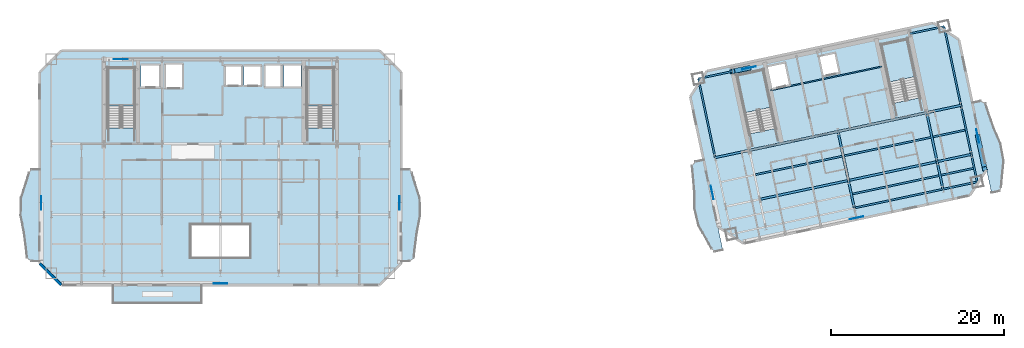
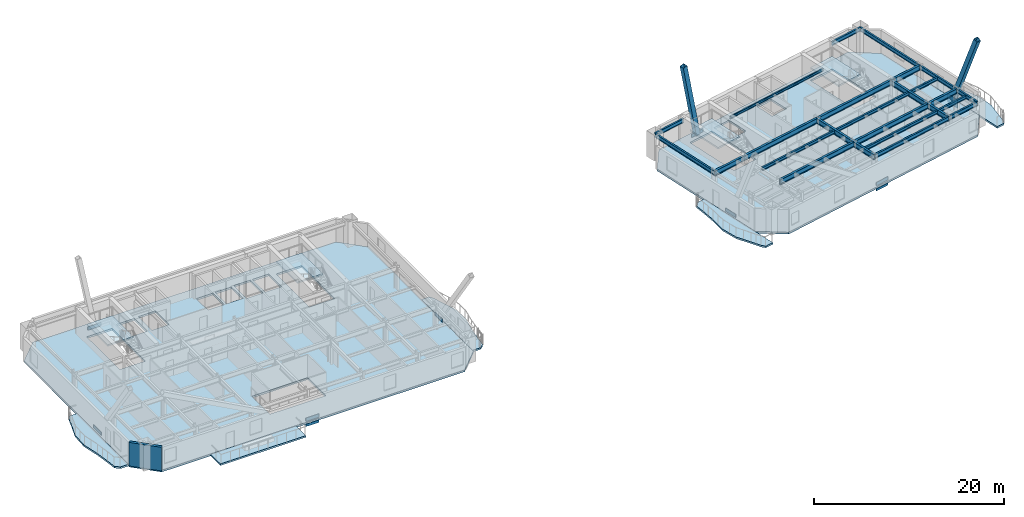
# One storey, part 4 of 13: 25 beams, 11 slabs, 8 plates, 2 members, 1 wall, 4 elements without a shape of their own.
"""IFC4 building model written with IfcOpenShell, lengths in metres."""

from ifc_helpers import new_model, si_unit, direction, frame, frame_2d, origin, origin_2d, place, context, subcontext, project, spatial, polyline, rectangle, hollow_rectangle, i_section, outline, extrude, material, layer, layer_set, material_profile, profile_set, type_object, element, aggregate, save


model = new_model("IFC4")

# Units and contexts
model_context = context("Model", 3, precision=1e-05, world=origin(), true_north=direction((0.0, 1.0)))
body_context = subcontext(model_context, "Body", "Model", "MODEL_VIEW")
ifc_project = project(units=[si_unit("LENGTHUNIT", "METRE"), si_unit("AREAUNIT", "SQUARE_METRE"), si_unit("VOLUMEUNIT", "CUBIC_METRE"), si_unit("PLANEANGLEUNIT", "RADIAN"), si_unit("MASSUNIT", "GRAM", prefix="KILO")], contexts=[model_context])

# Site, building, storey
site_placement = place(None, origin())
site = spatial("IfcSite", under=ifc_project, at=site_placement, CompositionType="ELEMENT")
building_placement = place(site_placement, origin())
building = spatial("IfcBuilding", under=site, at=building_placement, Name="Haevon Station Towers", CompositionType="ELEMENT")
storey_placement = place(building_placement, frame((0.0, 0.0, 165.89990234375)))
storey = spatial("IfcBuildingStorey", under=building, at=storey_placement, Name="L45", CompositionType="ELEMENT", Elevation=165.89990234375)

# Beams
ifc_material_1 = material(Name="Steel S355", Category="steel")
ifc_material_profile_1 = material_profile(ifc_material_1, i_section(OverallWidth=0.25, OverallDepth=0.64990234375, WebThickness=0.012939453125, FlangeThickness=0.02197265625, at=origin_2d()), Name="H-650x250x13x22")
ifc_profile_set_1 = profile_set([ifc_material_profile_1], Name="Steel S355")
beam_type_1 = type_object("IfcBeamType", Name="BM-G650", PredefinedType="BEAM", material=ifc_profile_set_1)
for number, where, z_axis, x_axis, name in (
    (1, (99.958251953125, 31.76904296875, 2.72509765625), (0.978146794194, 0.207915485254, 0.0), (-0.207915485254, 0.978146794194, 0.0), "BM-T2U-L45-02-02"),
    (2, (110.228759765625, 33.9521484375, 2.72509765625), (0.978146794194, 0.207915485254, 0.0), (-0.207915485254, 0.978146794194, 0.0), "BM-T2U-L45-02-03"),
):
    element("IfcBeam", number, at=place(storey_placement, frame(where, z_axis=z_axis, x_axis=x_axis)), inside=storey, type_object=beam_type_1, Name=name, PredefinedType="BEAM", context=body_context, shape_type="SweptSolid", body=[
        extrude(i_section(OverallWidth=0.25, OverallDepth=0.64990234375, WebThickness=0.012939453125, FlangeThickness=0.02197265625, at=origin_2d()), origin(), (0.0, 0.0, 1.0), 10.5),
    ])
for number, where, z_axis, x_axis, name in (
    (3, (120.499267578125, 36.13525390625, 2.72509765625), (0.978149504816, 0.207902732613, 0.0), (-0.207902732613, 0.978149504816, 0.0), "BM-T2U-L45-02-04"),
    (4, (94.790771484375, 36.600341796875, 2.72509765625), (0.978149504816, 0.207902732613, 0.0), (-0.207902732613, 0.978149504816, 0.0), "BM-T2U-L45-03-01"),
):
    element("IfcBeam", number, at=place(storey_placement, frame(where, z_axis=z_axis, x_axis=x_axis)), inside=storey, type_object=beam_type_1, Name=name, PredefinedType="BEAM", context=body_context, shape_type="SweptSolid", body=[
        extrude(i_section(OverallWidth=0.25, OverallDepth=0.64990234375, WebThickness=0.012939453125, FlangeThickness=0.02197265625, at=origin_2d()), origin(), (0.0, 0.0, 1.0), 4.050048828125),
    ])
for number, where, z_axis, x_axis, name in (
    (5, (98.75244140625, 37.4423828125, 2.72509765625), (0.978146794194, 0.207915485254, 0.0), (-0.207915485254, 0.978146794194, 0.0), "BM-T2U-L45-03-02"),
    (6, (109.02294921875, 39.62548828125, 2.72509765625), (0.978146794194, 0.207915485254, 0.0), (-0.207915485254, 0.978146794194, 0.0), "BM-T2U-L45-03-03"),
):
    element("IfcBeam", number, at=place(storey_placement, frame(where, z_axis=z_axis, x_axis=x_axis)), inside=storey, type_object=beam_type_1, Name=name, PredefinedType="BEAM", context=body_context, shape_type="SweptSolid", body=[
        extrude(i_section(OverallWidth=0.25, OverallDepth=0.64990234375, WebThickness=0.012939453125, FlangeThickness=0.02197265625, at=origin_2d()), origin(), (0.0, 0.0, 1.0), 10.5),
    ])
beam_1_placement = place(storey_placement, frame((119.29345703125, 41.80859375, 2.72509765625), z_axis=(0.978146899108, 0.207914991681, 0.0), x_axis=(-0.207914991681, 0.978146899108, 0.0)))
element("IfcBeam", 7, at=beam_1_placement, inside=storey, type_object=beam_type_1, Name="BM-T2U-L45-03-04", PredefinedType="BEAM", context=body_context, shape_type="SweptSolid", body=[
    extrude(i_section(OverallWidth=0.25, OverallDepth=0.64990234375, WebThickness=0.012939453125, FlangeThickness=0.02197265625, at=origin_2d()), origin(), (0.0, 0.0, 1.0), 4.050048828125),
])
beam_2_placement = place(storey_placement, frame((110.906494140625, 30.763427734375, 2.72509765625), z_axis=(-0.207897270364, 0.978150665785, 0.0), x_axis=(-0.978150665785, -0.207897270364, 0.0)))
element("IfcBeam", 8, at=beam_2_placement, inside=storey, type_object=beam_type_1, Name="BM-T2V-L45-03-01", PredefinedType="BEAM", context=body_context, shape_type="SweptSolid", body=[
    extrude(i_section(OverallWidth=0.25, OverallDepth=0.64990234375, WebThickness=0.012939453125, FlangeThickness=0.02197265625, at=origin_2d()), origin(), (0.0, 0.0, 1.0), 3.260009765625),
])
beam_3_placement = place(storey_placement, frame((110.228759765625, 33.9521484375, 2.72509765625), z_axis=(-0.207896009217, 0.97815093383, 0.0), x_axis=(-0.97815093383, -0.207896009217, 0.0)))
element("IfcBeam", 9, at=beam_3_placement, inside=storey, type_object=beam_type_1, Name="BM-T2V-L45-03-02", PredefinedType="BEAM", context=body_context, shape_type="SweptSolid", body=[
    extrude(i_section(OverallWidth=0.25, OverallDepth=0.64990234375, WebThickness=0.012939453125, FlangeThickness=0.02197265625, at=origin_2d()), origin(), (0.0, 0.0, 1.0), 5.800048828125),
])
beam_4_placement = place(storey_placement, frame((121.17724609375, 32.946533203125, 2.72509765625), z_axis=(-0.207968922755, 0.97813543396, 0.0), x_axis=(-0.97813543396, -0.207968922755, 0.0)))
element("IfcBeam", 10, at=beam_4_placement, inside=storey, type_object=beam_type_1, Name="BM-T2V-L45-04-01", PredefinedType="BEAM", context=body_context, shape_type="SweptSolid", body=[
    extrude(i_section(OverallWidth=0.25, OverallDepth=0.64990234375, WebThickness=0.012939453125, FlangeThickness=0.02197265625, at=origin_2d()), origin(), (0.0, 0.0, 1.0), 3.260009765625),
])
beam_5_placement = place(storey_placement, frame((120.499267578125, 36.13525390625, 2.72509765625), z_axis=(-0.207896009217, 0.97815093383, 0.0), x_axis=(-0.97815093383, -0.207896009217, 0.0)))
element("IfcBeam", 11, at=beam_5_placement, inside=storey, type_object=beam_type_1, Name="BM-T2V-L45-04-02", PredefinedType="BEAM", context=body_context, shape_type="SweptSolid", body=[
    extrude(i_section(OverallWidth=0.25, OverallDepth=0.64990234375, WebThickness=0.012939453125, FlangeThickness=0.02197265625, at=origin_2d()), origin(), (0.0, 0.0, 1.0), 5.800048828125),
])
ifc_material_profile_2 = material_profile(ifc_material_1, i_section(OverallWidth=0.199951171875, OverallDepth=0.39990234375, WebThickness=0.008056640625, FlangeThickness=0.012939453125, at=origin_2d()), Name="H-400x200x8x13")
ifc_profile_set_2 = profile_set([ifc_material_profile_2], Name="Steel S355")
beam_type_2 = type_object("IfcBeamType", Name="BM-J400", PredefinedType="JOIST", material=ifc_profile_set_2)
beam_6_placement = place(storey_placement, frame((110.67529296875, 32.380615234375, 2.85009765625), z_axis=(0.978145509903, 0.207921527161, 0.0), x_axis=(-0.207921527161, 0.978145509903, 0.0)))
element("IfcBeam", 12, at=beam_6_placement, inside=storey, type_object=beam_type_2, Name="BM-T2J-L45-01-03", PredefinedType="JOIST", context=body_context, shape_type="SweptSolid", body=[
    extrude(i_section(OverallWidth=0.199951171875, OverallDepth=0.39990234375, WebThickness=0.008056640625, FlangeThickness=0.012939453125, at=origin_2d()), origin(), (0.0, 0.0, 1.0), 10.280029296875),
])
beam_7_placement = place(storey_placement, frame((120.94580078125, 34.563720703125, 2.85009765625), z_axis=(0.97814345794, 0.207931180176, 0.0), x_axis=(-0.207931180176, 0.97814345794, 0.0)))
element("IfcBeam", 13, at=beam_7_placement, inside=storey, type_object=beam_type_2, Name="BM-T2J-L45-01-04", PredefinedType="JOIST", context=body_context, shape_type="SweptSolid", body=[
    extrude(i_section(OverallWidth=0.199951171875, OverallDepth=0.39990234375, WebThickness=0.008056640625, FlangeThickness=0.012939453125, at=origin_2d()), origin(), (0.0, 0.0, 1.0), 3.830078125),
])
for number, where, z_axis, x_axis, name in (
    (14, (99.462890625, 34.628662109375, 2.85009765625), (0.978150339653, 0.207898804801, 0.0), (-0.207898804801, 0.978150339653, 0.0), "BM-T2J-L45-02-02"),
    (15, (109.7333984375, 36.811767578125, 2.85009765625), (0.978150339653, 0.207898804801, 0.0), (-0.207898804801, 0.978150339653, 0.0), "BM-T2J-L45-02-03"),
):
    element("IfcBeam", number, at=place(storey_placement, frame(where, z_axis=z_axis, x_axis=x_axis)), inside=storey, type_object=beam_type_2, Name=name, PredefinedType="JOIST", context=body_context, shape_type="SweptSolid", body=[
        extrude(i_section(OverallWidth=0.199951171875, OverallDepth=0.39990234375, WebThickness=0.008056640625, FlangeThickness=0.012939453125, at=origin_2d()), origin(), (0.0, 0.0, 1.0), 10.280029296875),
    ])
beam_8_placement = place(storey_placement, frame((120.00390625, 38.994873046875, 2.85009765625), z_axis=(0.978156420772, 0.207870191472, 0.0), x_axis=(-0.207870191472, 0.978156420772, 0.0)))
element("IfcBeam", 16, at=beam_8_placement, inside=storey, type_object=beam_type_2, Name="BM-T2J-L45-02-04", PredefinedType="JOIST", context=body_context, shape_type="SweptSolid", body=[
    extrude(i_section(OverallWidth=0.199951171875, OverallDepth=0.39990234375, WebThickness=0.008056640625, FlangeThickness=0.012939453125, at=origin_2d()), origin(), (0.0, 0.0, 1.0), 3.830078125),
])
ifc_material_profile_3 = material_profile(ifc_material_1, i_section(OverallWidth=0.14990234375, OverallDepth=0.300048828125, WebThickness=0.006591796875, FlangeThickness=0.009033203125, at=origin_2d()), Name="H-300x150x6.5x9")
ifc_profile_set_3 = profile_set([ifc_material_profile_3], Name="Steel S355")
beam_type_3 = type_object("IfcBeamType", Name="BM-LIN300", PredefinedType="LINTEL", material=ifc_profile_set_3)
beam_9_placement = place(storey_placement, frame((101.20849609375, 44.4052734375, 2.900146484375), z_axis=(0.978147802964, 0.207910739399, 0.0), x_axis=(-0.207910739399, 0.978147802964, 0.0)))
element("IfcBeam", 17, at=beam_9_placement, inside=storey, type_object=beam_type_3, Name="BM-T2LIN-L45", PredefinedType="LINTEL", context=body_context, shape_type="SweptSolid", body=[
    extrude(i_section(OverallWidth=0.14990234375, OverallDepth=0.300048828125, WebThickness=0.006591796875, FlangeThickness=0.009033203125, at=origin_2d()), origin(), (0.0, 0.0, 1.0), 13.19970703125),
])
ifc_material_profile_4 = material_profile(ifc_material_1, i_section(OverallWidth=0.199951171875, OverallDepth=0.5, WebThickness=0.010009765625, FlangeThickness=0.01611328125, at=origin_2d()), Name="H-500x200x10x16")
ifc_profile_set_4 = profile_set([ifc_material_profile_4], Name="Steel S355")
beam_type_4 = type_object("IfcBeamType", Name="BM-SP500", PredefinedType="SPANDREL", material=ifc_profile_set_4)
beam_10_placement = place(storey_placement, frame((110.906494140625, 30.763427734375, 2.800048828125), z_axis=(0.978147799298, 0.207910756646, 0.0), x_axis=(-0.207910756646, 0.978147799298, 0.0)))
element("IfcBeam", 18, at=beam_10_placement, inside=storey, type_object=beam_type_4, Name="BM-T2U-L45-01-03", PredefinedType="SPANDREL", context=body_context, shape_type="SweptSolid", body=[
    extrude(i_section(OverallWidth=0.199951171875, OverallDepth=0.5, WebThickness=0.010009765625, FlangeThickness=0.01611328125, at=origin_2d()), origin(), (0.0, 0.0, 1.0), 10.500244140625),
])
for number, where, z_axis, x_axis, name in (
    (19, (121.17724609375, 32.946533203125, 2.800048828125), (0.978146899108, 0.207914991681, 0.0), (-0.207914991681, 0.978146899108, 0.0), "BM-T2U-L45-01-04"),
    (20, (92.846923828125, 45.74609375, 2.800048828125), (0.978146899108, 0.207914991681, 0.0), (-0.207914991681, 0.978146899108, 0.0), "BM-T2U-L45-04-01"),
    (21, (117.349365234375, 50.954345703125, 2.800048828125), (0.978149504816, 0.207902732613, 0.0), (-0.207902732613, 0.978149504816, 0.0), "BM-T2U-L45-04-04"),
):
    element("IfcBeam", number, at=place(storey_placement, frame(where, z_axis=z_axis, x_axis=x_axis)), inside=storey, type_object=beam_type_4, Name=name, PredefinedType="SPANDREL", context=body_context, shape_type="SweptSolid", body=[
        extrude(i_section(OverallWidth=0.199951171875, OverallDepth=0.5, WebThickness=0.010009765625, FlangeThickness=0.01611328125, at=origin_2d()), origin(), (0.0, 0.0, 1.0), 4.050048828125),
    ])
beam_11_placement = place(storey_placement, frame((94.790771484375, 36.600341796875, 2.800048828125), z_axis=(-0.207897167074, 0.978150687738, 0.0), x_axis=(-0.978150687738, -0.207897167074, 0.0)))
element("IfcBeam", 22, at=beam_11_placement, inside=storey, type_object=beam_type_4, Name="BM-T2V-L45-01-03", PredefinedType="SPANDREL", context=body_context, shape_type="SweptSolid", body=[
    extrude(i_section(OverallWidth=0.199951171875, OverallDepth=0.5, WebThickness=0.010009765625, FlangeThickness=0.01611328125, at=origin_2d()), origin(), (0.0, 0.0, 1.0), 9.35009765625),
])
beam_12_placement = place(storey_placement, frame((125.138671875, 33.78857421875, 2.800048828125), z_axis=(-0.207897270364, 0.978150665785, 0.0), x_axis=(-0.978150665785, -0.207897270364, 0.0)))
element("IfcBeam", 23, at=beam_12_placement, inside=storey, type_object=beam_type_4, Name="BM-T2V-L45-05-01", PredefinedType="SPANDREL", context=body_context, shape_type="SweptSolid", body=[
    extrude(i_section(OverallWidth=0.199951171875, OverallDepth=0.5, WebThickness=0.010009765625, FlangeThickness=0.01611328125, at=origin_2d()), origin(), (0.0, 0.0, 1.0), 3.260009765625),
])
beam_13_placement = place(storey_placement, frame((124.4609375, 36.977294921875, 2.800048828125), z_axis=(-0.207936282142, 0.978142373363, 0.0), x_axis=(-0.978142373363, -0.207936282142, 0.0)))
element("IfcBeam", 24, at=beam_13_placement, inside=storey, type_object=beam_type_4, Name="BM-T2V-L45-05-02", PredefinedType="SPANDREL", context=body_context, shape_type="SweptSolid", body=[
    extrude(i_section(OverallWidth=0.199951171875, OverallDepth=0.5, WebThickness=0.010009765625, FlangeThickness=0.01611328125, at=origin_2d()), origin(), (0.0, 0.0, 1.0), 5.800048828125),
])
beam_14_placement = place(storey_placement, frame((123.2548828125, 42.650634765625, 2.800048828125), z_axis=(-0.207897167074, 0.978150687738, 0.0), x_axis=(-0.978150687738, -0.207897167074, 0.0)))
element("IfcBeam", 25, at=beam_14_placement, inside=storey, type_object=beam_type_4, Name="BM-T2V-L45-05-03", PredefinedType="SPANDREL", context=body_context, shape_type="SweptSolid", body=[
    extrude(i_section(OverallWidth=0.199951171875, OverallDepth=0.5, WebThickness=0.010009765625, FlangeThickness=0.01611328125, at=origin_2d()), origin(), (0.0, 0.0, 1.0), 9.35009765625),
])

# Members
ifc_material_2 = material(Name="Steel S460", Category="steel")
ifc_material_profile_5 = material_profile(ifc_material_2, hollow_rectangle(XDim=0.550048828125, YDim=0.550048828125, WallThickness=0.028076171875, at=origin_2d()), Name="RHS-550x550x28")
ifc_profile_set_5 = profile_set([ifc_material_profile_5], Name="Steel S460")
member_type = type_object("IfcMemberType", Name="MB-550", PredefinedType="BRACE", material=ifc_profile_set_5)
member_1_placement = place(storey_placement, frame((98.6376953125, 46.976806640625, 0.146728515625), z_axis=(-0.186979306295, -0.039726552198, 0.981560257991), x_axis=(0.207825968465, -0.978165817656, 0.0)))
element("IfcMember", 26, at=member_1_placement, inside=storey, type_object=member_type, Name="BR-T2MB-T06-N-D2B", PredefinedType="BRACE", context=body_context, shape_type="SweptSolid", body=[
    extrude(hollow_rectangle(XDim=0.550048828125, YDim=0.550048828125, WallThickness=0.028076171875, at=origin_2d()), origin(), (0.0, 0.0, 1.0), 9.78369140625),
])
member_2_placement = place(storey_placement, frame((125.227783203125, 38.99609375, 0.13232421875), z_axis=(0.075968667273, -0.357395363142, 0.930858375908), x_axis=(0.978146522194, 0.207916764883, 0.0)))
element("IfcMember", 27, at=member_2_placement, inside=storey, type_object=member_type, Name="BR-T2MB-T06-E-D2B", PredefinedType="BRACE", context=body_context, shape_type="SweptSolid", body=[
    extrude(hollow_rectangle(XDim=0.550048828125, YDim=0.550048828125, WallThickness=0.028076171875, at=origin_2d()), origin(), (0.0, 0.0, 1.0), 10.33203125),
])

# Plates
ifc_material_3 = material(Name="PL-GUS1", Category="steel")
ifc_layer_1 = layer(ifc_material_3, 0.035888671875)
ifc_layer_set_1 = layer_set([ifc_layer_1], Name="PL-GUS1")
plate_type = type_object("IfcPlateType", Name="PL-GUS1", PredefinedType="USERDEFINED", material=ifc_layer_set_1)
for number, where, z_axis, x_axis, name in (
    (28, (37.5, 22.030029296875, -0.68505859375), (0.0, 0.0, 1.0), (1.0, 0.0, 0.0), "PL-T1GUS-T06-S"),
    (29, (25.97509765625, 48.0, -0.68505859375), (0.0, 0.0, 1.0), (1.0, 0.0, 0.0), "PL-T1GUS-T06-N"),
    (30, (16.7548828125, 31.35009765625, -0.68505859375), (0.0, 0.0, 1.0), (0.0, 1.0, 0.0), "PL-T1GUS-T06-W"),
    (31, (58.2451171875, 31.35009765625, -0.68505859375), (0.0, 0.0, 1.0), (0.0, 1.0, 0.0), "PL-T1GUS-T06-E"),
    (32, (111.14990234375, 29.619140625, -0.68505859375), (0.0, 0.0, 1.0), (0.978147600734, 0.207911690818, 0.0), "PL-T2GUS-T06-S"),
    (33, (98.69140625, 46.98828125, -0.68505859375), (0.0, 0.0, 1.0), (0.978147600734, 0.207911690818, 0.0), "PL-T2GUS-T06-N"),
    (34, (94.453125, 32.56201171875, -0.68505859375), (0.0, 0.0, 1.0), (-0.207911690818, 0.978147600734, 0.0), "PL-T2GUS-T06-W"),
    (35, (125.2060546875, 39.0986328125, -0.68505859375), (0.0, 0.0, 1.0), (-0.207911690818, 0.978147600734, 0.0), "PL-T2GUS-T06-E"),
):
    element("IfcPlate", number, at=place(storey_placement, frame(where, z_axis=z_axis, x_axis=x_axis)), inside=storey, type_object=plate_type, Name=name, ObjectType="GUSSET_PLATE", PredefinedType="USERDEFINED", context=body_context, shape_type="SweptSolid", body=[
        extrude(rectangle(XDim=1.60009765625, YDim=0.035888671875, at=origin_2d()), origin(), (0.0, 0.0, 1.0), 1.10009765625),
    ])

# Slabs
ifc_material_4 = material(Name="Concrete C40/50", Category="concrete")
ifc_layer_2 = layer(ifc_material_4, 0.219970703125)
ifc_layer_set_2 = layer_set([ifc_layer_2], Name="Concrete C40/50")
slab_type_1 = type_object("IfcSlabType", Name="SL-BALC220", PredefinedType="FLOOR", material=ifc_layer_set_2)
slab_1_placement = place(storey_placement, frame((0.0, 0.0, -0.219970703125)))
element("IfcSlab", 36, at=slab_1_placement, inside=storey, type_object=slab_type_1, Name="Tower 1 L45 West SCALLOPED BALCONY", PredefinedType="FLOOR", context=body_context, shape_type="SweptSolid", body=[
    extrude(outline(polyline([(16.570068359375, 35.324951171875), (15.612548828125, 35.324951171875), (15.337158203125, 34.9140625), (14.9755859375, 33.743408203125), (14.39111328125, 31.991455078125), (14.29052734375, 29.925048828125), (14.734130859375, 27.8583984375), (14.9755859375, 26.106689453125), (15.106689453125, 24.93603515625), (15.612548828125, 24.52490234375), (16.570068359375, 24.52490234375), (16.570068359375, 35.324951171875)])), origin(), (0.0, 0.0, 1.0), 0.219970703125),
])
slab_2_placement = place(storey_placement, frame((0.0, 0.0, -0.219970703125)))
element("IfcSlab", 37, at=slab_2_placement, inside=storey, type_object=slab_type_1, Name="Tower 1 L45 East SCALLOPED BALCONY", PredefinedType="FLOOR", context=body_context, shape_type="SweptSolid", body=[
    extrude(outline(polyline([(58.429931640625, 24.52490234375), (59.387451171875, 24.52490234375), (59.893310546875, 24.93603515625), (60.0244140625, 26.106689453125), (60.265869140625, 27.8583984375), (60.70947265625, 29.925048828125), (60.60888671875, 31.991455078125), (60.0244140625, 33.743408203125), (59.662841796875, 34.9140625), (59.387451171875, 35.324951171875), (58.429931640625, 35.324951171875), (58.429931640625, 24.52490234375)])), origin(), (0.0, 0.0, 1.0), 0.219970703125),
])
slab_3_placement = place(storey_placement, frame((0.0, 0.0, -0.219970703125)))
element("IfcSlab", 38, at=slab_3_placement, inside=storey, type_object=slab_type_1, Name="Tower 1 L45 Planted Balcony Band", PredefinedType="FLOOR", context=body_context, shape_type="SweptSolid", body=[
    extrude(outline(polyline([(25.0, 19.75), (35.39990234375, 19.75), (35.39990234375, 21.844970703125), (25.0, 21.844970703125), (25.0, 19.75)])), origin(), (0.0, 0.0, 1.0), 0.219970703125),
])
slab_4_placement = place(storey_placement, frame((0.0, 0.0, -0.219970703125)))
element("IfcSlab", 39, at=slab_4_placement, inside=storey, type_object=slab_type_1, Name="Tower 2 L45 West SCALLOPED BALCONY", PredefinedType="FLOOR", context=body_context, shape_type="SweptSolid", body=[
    extrude(outline(polyline([(93.44580078125, 36.41162109375), (92.50927734375, 36.212646484375), (92.099853515625, 35.705322265625), (92.215087890625, 34.532958984375), (92.343017578125, 32.769287109375), (92.3388671875, 30.65576171875), (92.866943359375, 28.6552734375), (93.802734375, 27.063232421875), (94.399658203125, 25.993408203125), (94.754638671875, 25.6484375), (95.691162109375, 25.84765625), (93.44580078125, 36.41162109375)])), origin(), (0.0, 0.0, 1.0), 0.219970703125),
])
slab_5_placement = place(storey_placement, frame((0.0, 0.0, -0.219970703125)))
element("IfcSlab", 40, at=slab_5_placement, inside=storey, type_object=slab_type_1, Name="Tower 2 L45 East SCALLOPED BALCONY", PredefinedType="FLOOR", context=body_context, shape_type="SweptSolid", body=[
    extrude(outline(polyline([(126.80615234375, 32.461181640625), (127.742431640625, 32.660400390625), (127.926513671875, 33.11962890625), (128.03662109375, 34.33984375), (128.244140625, 36.1748046875), (127.912841796875, 38.21728515625), (127.04931640625, 40.146240234375), (126.448974609375, 41.8095703125), (126.077392578125, 42.927490234375), (125.4970703125, 43.224365234375), (124.560546875, 43.025146484375), (126.80615234375, 32.461181640625)])), origin(), (0.0, 0.0, 1.0), 0.219970703125),
])

# Stair, slab
stair_type = type_object("IfcStairType", Name="STR-DL1450", PredefinedType="USERDEFINED", material=ifc_material_4)
stair_1_placement = place(storey_placement, origin())
stair_1 = element("IfcStair", 41, at=stair_1_placement, inside=storey, type_object=stair_type, Name="L45 Escape Stair ST1", ObjectType="TWO_RETURN_STAIR", PredefinedType="USERDEFINED")
ifc_layer_3 = layer(ifc_material_4, 0.199951171875)
ifc_layer_set_3 = layer_set([ifc_layer_3], Name="Concrete C40/50")
slab_type_2 = type_object("IfcSlabType", Name="SL-LND200", PredefinedType="LANDING", material=ifc_layer_set_3)
slab_6_placement = place(storey_placement, frame((0.0, 0.0, 1.4501953125)))
slab_6 = element("IfcSlab", 42, at=slab_6_placement, type_object=slab_type_2, Name="L45 ST1 Half Landing 1", PredefinedType="LANDING", context=body_context, shape_type="SweptSolid", body=[
    extrude(outline(polyline([(27.580078125, 42.56396484375), (27.580078125, 47.0), (24.47998046875, 47.0), (24.47998046875, 42.56396484375), (27.580078125, 42.56396484375)])), origin(), (0.0, 0.0, 1.0), 0.199951171875),
])
aggregate(stair_1, [slab_6])

stair_2_placement = place(storey_placement, origin())
stair_2 = element("IfcStair", 43, at=stair_2_placement, inside=storey, type_object=stair_type, Name="L45 Escape Stair ST2", ObjectType="TWO_RETURN_STAIR", PredefinedType="USERDEFINED")
slab_7_placement = place(storey_placement, frame((0.0, 0.0, 1.4501953125)))
slab_7 = element("IfcSlab", 44, at=slab_7_placement, type_object=slab_type_2, Name="L45 ST2 Half Landing 1", PredefinedType="LANDING", context=body_context, shape_type="SweptSolid", body=[
    extrude(outline(polyline([(50.6201171875, 42.56396484375), (50.6201171875, 47.0), (47.52001953125, 47.0), (47.52001953125, 42.56396484375), (50.6201171875, 42.56396484375)])), origin(), (0.0, 0.0, 1.0), 0.199951171875),
])
aggregate(stair_2, [slab_7])

stair_3_placement = place(storey_placement, origin())
stair_3 = element("IfcStair", 45, at=stair_3_placement, inside=storey, type_object=stair_type, Name="L45 Escape Stair ST3", ObjectType="TWO_RETURN_STAIR", PredefinedType="USERDEFINED")
slab_8_placement = place(storey_placement, frame((0.0, 0.0, 1.4501953125)))
slab_8 = element("IfcSlab", 46, at=slab_8_placement, type_object=slab_type_2, Name="L45 ST3 Half Landing 1", PredefinedType="LANDING", context=body_context, shape_type="SweptSolid", body=[
    extrude(outline(polyline([(101.2880859375, 42.44287109375), (100.36572265625, 46.781982421875), (97.33349609375, 46.137451171875), (98.255859375, 41.79833984375), (101.2880859375, 42.44287109375)])), origin(), (0.0, 0.0, 1.0), 0.199951171875),
])
aggregate(stair_3, [slab_8])

stair_4_placement = place(storey_placement, origin())
stair_4 = element("IfcStair", 47, at=stair_4_placement, inside=storey, type_object=stair_type, Name="L45 Escape Stair ST4", ObjectType="TWO_RETURN_STAIR", PredefinedType="USERDEFINED")
slab_9_placement = place(storey_placement, frame((0.0, 0.0, 1.4501953125)))
slab_9 = element("IfcSlab", 48, at=slab_9_placement, type_object=slab_type_2, Name="L45 ST4 Half Landing 1", PredefinedType="LANDING", context=body_context, shape_type="SweptSolid", body=[
    extrude(outline(polyline([(117.975341796875, 45.989990234375), (117.052978515625, 50.328857421875), (114.020751953125, 49.684326171875), (114.943115234375, 45.345458984375), (117.975341796875, 45.989990234375)])), origin(), (0.0, 0.0, 1.0), 0.199951171875),
])
aggregate(stair_4, [slab_9])

# Slabs
ifc_layer_4 = layer(ifc_material_4, 0.25)
ifc_layer_set_4 = layer_set([ifc_layer_4], Name="Concrete C40/50")
slab_type_3 = type_object("IfcSlabType", Name="SL-TW250", PredefinedType="FLOOR", material=ifc_layer_set_4)
slab_10_placement = place(storey_placement, frame((0.0, 0.0, -0.25)))
element("IfcSlab", 49, at=slab_10_placement, inside=storey, type_object=slab_type_3, Name="SL-T1-L45", PredefinedType="FLOOR", context=body_context, shape_type="SweptSolid", body=[
    extrude(outline(polyline([(19.074951171875, 21.85009765625), (55.925048828125, 21.85009765625), (58.425048828125, 24.35009765625), (58.425048828125, 46.5), (55.925048828125, 49.0), (19.074951171875, 49.0), (16.574951171875, 46.5), (16.574951171875, 24.35009765625), (19.074951171875, 21.85009765625)]), holes=[polyline([(27.580078125, 40.055908203125), (27.580078125, 47.0), (24.47998046875, 47.0), (24.47998046875, 40.055908203125), (27.580078125, 40.055908203125)]), polyline([(50.6201171875, 40.055908203125), (50.6201171875, 47.0), (47.52001953125, 47.0), (47.52001953125, 40.055908203125), (50.6201171875, 40.055908203125)]), polyline([(28.300048828125, 44.699951171875), (30.5, 44.699951171875), (30.5, 47.39990234375), (28.300048828125, 47.39990234375), (28.300048828125, 44.699951171875)]), polyline([(31.050048828125, 44.60009765625), (33.14990234375, 44.60009765625), (33.14990234375, 47.5), (31.050048828125, 47.5), (31.050048828125, 44.60009765625)]), polyline([(38.0, 44.89990234375), (40.0, 44.89990234375), (40.0, 47.300048828125), (38.0, 47.300048828125), (38.0, 44.89990234375)]), polyline([(40.25, 44.89990234375), (42.25, 44.89990234375), (42.25, 47.300048828125), (40.25, 47.300048828125), (40.25, 44.89990234375)]), polyline([(42.60009765625, 44.699951171875), (44.60009765625, 44.699951171875), (44.60009765625, 47.39990234375), (42.60009765625, 47.39990234375), (42.60009765625, 44.699951171875)]), polyline([(44.85009765625, 44.699951171875), (46.85009765625, 44.699951171875), (46.85009765625, 47.39990234375), (44.85009765625, 47.39990234375), (44.85009765625, 44.699951171875)]), polyline([(34.10009765625, 25.050048828125), (40.89990234375, 25.050048828125), (40.89990234375, 28.85009765625), (34.10009765625, 28.85009765625), (34.10009765625, 25.050048828125)])]), origin(), (0.0, 0.0, 1.0), 0.25),
])
slab_11_placement = place(storey_placement, frame((0.0, 0.0, -0.25)))
element("IfcSlab", 50, at=slab_11_placement, inside=storey, type_object=slab_type_3, Name="SL-T2-L45", PredefinedType="FLOOR", context=body_context, shape_type="SweptSolid", body=[
    extrude(outline(polyline([(98.080078125, 26.656982421875), (124.29443359375, 32.22900390625), (126.219970703125, 35.194091796875), (123.01611328125, 50.267333984375), (120.051025390625, 52.19287109375), (93.836669921875, 46.620849609375), (91.9111328125, 43.65576171875), (95.114990234375, 28.58251953125), (98.080078125, 26.656982421875)]), holes=[polyline([(101.8095703125, 39.98974609375), (100.36572265625, 46.781982421875), (97.33349609375, 46.137451171875), (98.77734375, 39.34521484375), (101.8095703125, 39.98974609375)]), polyline([(118.496826171875, 43.53662109375), (117.052978515625, 50.328857421875), (114.020751953125, 49.684326171875), (115.464599609375, 42.89208984375), (118.496826171875, 43.53662109375)]), polyline([(101.43212890625, 44.554931640625), (103.486328125, 44.99169921875), (102.9248046875, 47.632568359375), (100.870849609375, 47.196044921875), (101.43212890625, 44.554931640625)]), polyline([(107.259521484375, 45.998046875), (109.2158203125, 46.413818359375), (108.716796875, 48.761474609375), (106.760498046875, 48.345703125), (107.259521484375, 45.998046875)])]), origin(), (0.0, 0.0, 1.0), 0.25),
])

# Wall
ifc_material_5 = material(Name="Precast concrete C45/55", Category="concrete")
ifc_layer_5 = layer(ifc_material_5, 0.300048828125)
ifc_layer_set_5 = layer_set([ifc_layer_5], Name="Precast concrete C45/55")
wall_type = type_object("IfcWallType", Name="WL-EXT-PIER300", PredefinedType="SOLIDWALL", material=ifc_layer_set_5)
wall_placement = place(storey_placement, frame((19.074951171875, 21.85009765625, 0.0), z_axis=(0.0, 0.0, 1.0), x_axis=(-0.707106781187, 0.707106781187, 0.0)))
element("IfcWall", 51, at=wall_placement, inside=storey, type_object=wall_type, Name="WL-T1-L45-SWC", PredefinedType="SOLIDWALL", context=body_context, shape_type="SweptSolid", body=[
    extrude(rectangle(XDim=3.53564453125, YDim=0.300048828125, at=frame_2d((1.767822265625, 0.0))), origin(), (0.0, 0.0, 1.0), 3.030029296875),
])

save(model, "model.ifc")
